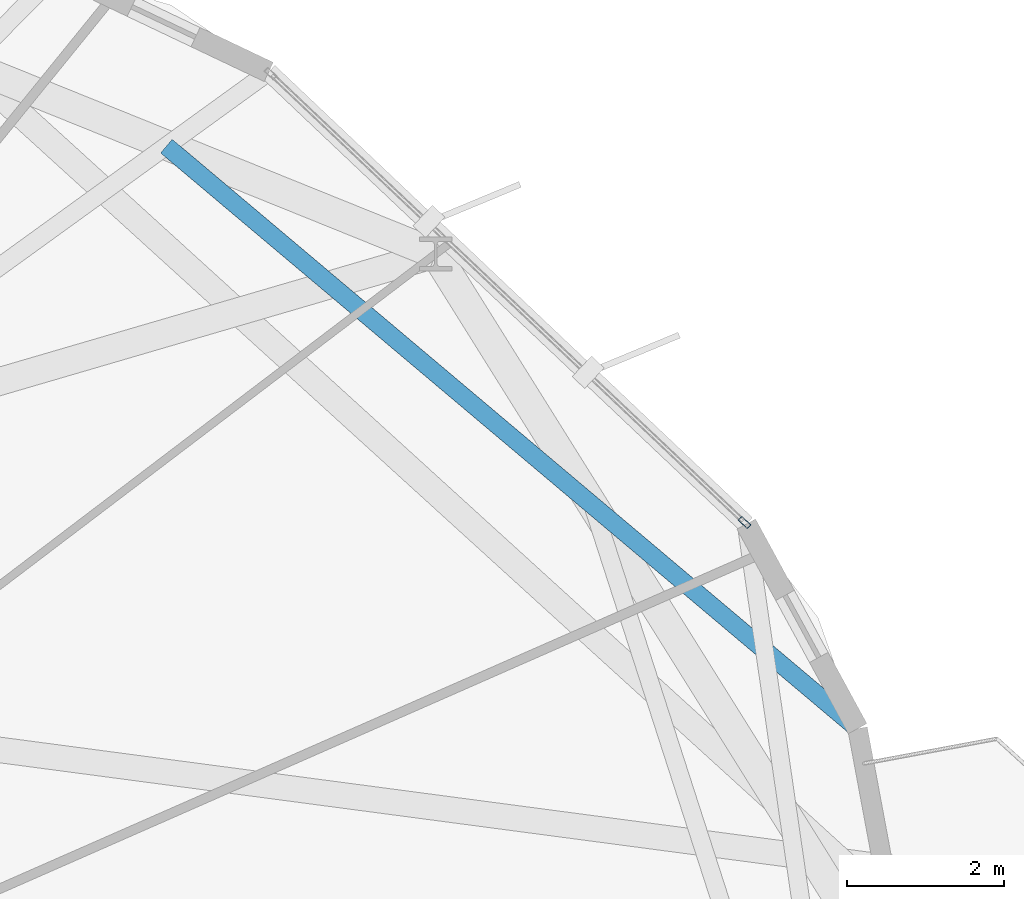
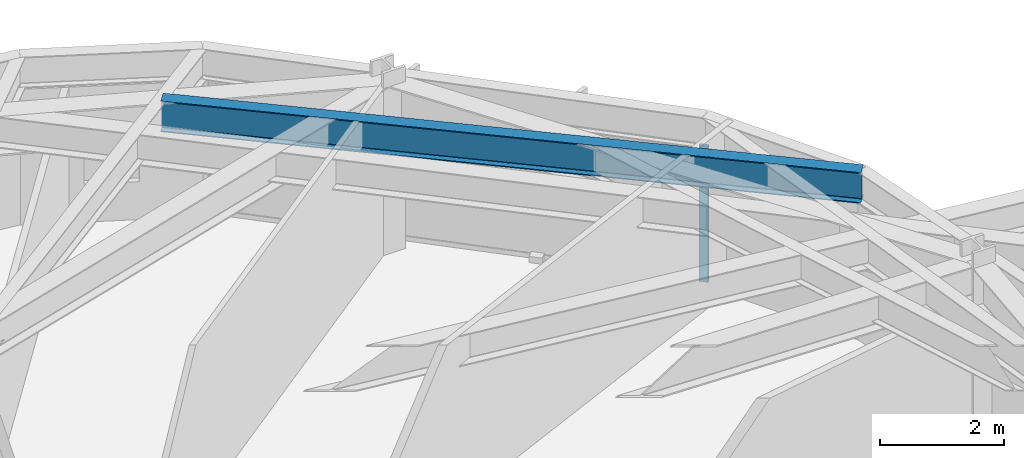
# One storey, part 12 of 23: 1 beam, 1 member, 1 element without a shape of its own.
"""IFC4 building model written with IfcOpenShell, lengths in metres."""

from ifc_helpers import new_model, si_unit, direction, frame, origin, origin_2d, place, context, subcontext, project, spatial, hollow_rectangle, i_section, extrude, material, layer, layer_set, material_profile, profile_set, type_object, element, aggregate, save


model = new_model("IFC4")

# Units and contexts
model_context = context("Model", 3, precision=1e-05, world=origin(), true_north=direction((0.0, 1.0)))
body_context = subcontext(model_context, "Body", "Model", "MODEL_VIEW")
ifc_project = project(units=[si_unit("LENGTHUNIT", "METRE"), si_unit("AREAUNIT", "SQUARE_METRE"), si_unit("VOLUMEUNIT", "CUBIC_METRE"), si_unit("PLANEANGLEUNIT", "RADIAN"), si_unit("MASSUNIT", "GRAM", prefix="KILO")], contexts=[model_context])

# Site, building, storey
site_placement = place(None, origin())
site = spatial("IfcSite", under=ifc_project, at=site_placement, CompositionType="ELEMENT")
building_placement = place(site_placement, origin())
building = spatial("IfcBuilding", under=site, at=building_placement, Name="Soratama Intermodal Tower", CompositionType="ELEMENT")
storey_placement = place(building_placement, frame((0.0, 0.0, 139.0)))
storey = spatial("IfcBuildingStorey", under=building, at=storey_placement, Name="L33", CompositionType="ELEMENT", Elevation=139.0)

# Beam
ifc_material_1 = material(Name="Structural steel ASTM A992 Grade 50", Category="steel")
ifc_material_profile_1 = material_profile(ifc_material_1, i_section(OverallWidth=0.22900390625, OverallDepth=0.612060546875, WebThickness=0.011962890625, FlangeThickness=0.01953125, FilletRadius=0.012939453125, at=origin_2d()), Name="W24X84")
ifc_profile_set_1 = profile_set([ifc_material_profile_1], Name="Structural steel ASTM A992 Grade 50")
beam_type = type_object("IfcBeamType", Name="BM-TIE-W24X84", PredefinedType="BEAM", material=ifc_profile_set_1)
beam_placement = place(storey_placement, frame((52.818115234375, 39.779052734375, 2.993896484375), z_axis=(0.764676370915, -0.644414499964, 0.0), x_axis=(0.644414499964, 0.764676370915, 0.0)))
element("IfcBeam", 1, at=beam_placement, inside=storey, type_object=beam_type, Name="BM-L33-TIE1-10", PredefinedType="BEAM", context=body_context, shape_type="SweptSolid", body=[
    extrude(i_section(OverallWidth=0.22900390625, OverallDepth=0.612060546875, WebThickness=0.011962890625, FlangeThickness=0.01953125, FilletRadius=0.012939453125, at=origin_2d()), origin(), (0.0, 0.0, 1.0), 11.5146484375),
])

# Curtain wall, member
ifc_material_2 = material(Name="Double-glazed aluminium curtain wall", Category="aluminium")
ifc_layer = layer(ifc_material_2, 0.159912109375)
ifc_layer_set = layer_set([ifc_layer], Name="Double-glazed aluminium curtain wall")
curtain_wall_type = type_object("IfcCurtainWallType", Name="CW-SYS-4", PredefinedType="NOTDEFINED", material=ifc_layer_set)
curtain_wall_placement = place(storey_placement, origin())
curtain_wall = element("IfcCurtainWall", 2, at=curtain_wall_placement, inside=storey, type_object=curtain_wall_type, Name="L33 Faceted Curtain Wall F01", PredefinedType="NOTDEFINED")
ifc_material_3 = material(Name="Anodised aluminium AA 6063-T6", Category="aluminium")
ifc_material_profile_2 = material_profile(ifc_material_3, hollow_rectangle(XDim=0.070068359375, YDim=0.159912109375, WallThickness=0.0048828125, InnerFilletRadius=0.0048828125, OuterFilletRadius=0.010009765625, at=origin_2d()), Name="CWM160X70X5")
ifc_profile_set_2 = profile_set([ifc_material_profile_2], Name="Anodised aluminium AA 6063-T6")
member_type = type_object("IfcMemberType", Name="MT-CWM-4", PredefinedType="MULLION", material=ifc_profile_set_2)
member_placement = place(storey_placement, frame((60.1826171875, 34.985107421875, 0.0), z_axis=(0.0, 0.0, 1.0), x_axis=(-0.687593964864, -0.726095406598, 0.0)))
member = element("IfcMember", 3, at=member_placement, type_object=member_type, Name="CW-4 mullion 1", PredefinedType="MULLION", context=body_context, shape_type="SweptSolid", body=[
    extrude(hollow_rectangle(XDim=0.070068359375, YDim=0.159912109375, WallThickness=0.0048828125, InnerFilletRadius=0.0048828125, OuterFilletRadius=0.010009765625, at=origin_2d()), origin(), (0.0, 0.0, 1.0), 2.678955078125),
])
aggregate(curtain_wall, [member])

save(model, "model.ifc")
